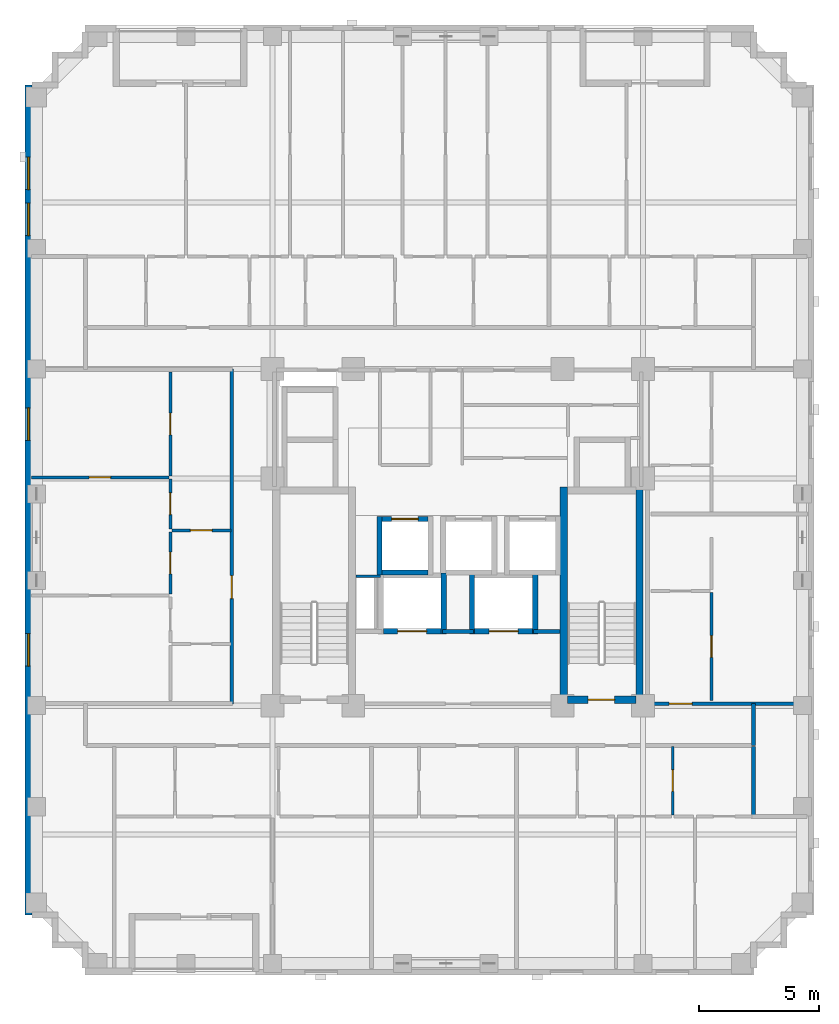
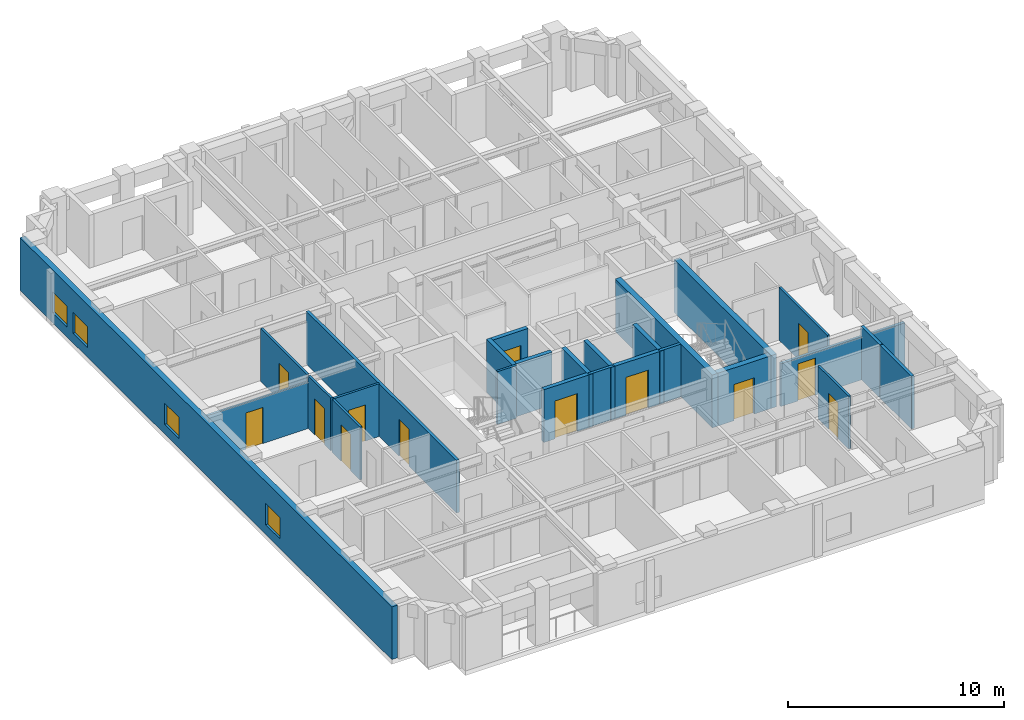
# One storey, part 4 of 11: 26 walls, 13 doors, 4 windows, 17 openings.
"""IFC4 building model written with IfcOpenShell, lengths in metres."""

from ifc_helpers import new_model, si_unit, derived_unit, direction, frame, frame_2d, origin, place, context, subcontext, project, spatial, rectangle, extrude, material, layer, layer_set, type_object, element, fill, save


model = new_model("IFC4")

# Units and contexts
model_context = context("Model", 3, precision=1e-05, world=origin(), true_north=direction((0.0, 1.0)))
body_context = subcontext(model_context, "Body", "Model", "MODEL_VIEW")
ifc_project = project(units=[si_unit("LENGTHUNIT", "METRE"), si_unit("AREAUNIT", "SQUARE_METRE"), si_unit("VOLUMEUNIT", "CUBIC_METRE"), si_unit("PLANEANGLEUNIT", "RADIAN"), si_unit("MASSUNIT", "GRAM", prefix="KILO"), derived_unit("THERMALTRANSMITTANCEUNIT", [(si_unit("MASSUNIT", "GRAM", prefix="KILO"), 1), (si_unit("TIMEUNIT", "SECOND"), -3), (si_unit("THERMODYNAMICTEMPERATUREUNIT", "KELVIN"), -1)])], contexts=[model_context])

# Site, building, storey
site_placement = place(None, origin())
site = spatial("IfcSite", under=ifc_project, at=site_placement, CompositionType="ELEMENT")
building_placement = place(site_placement, origin())
building = spatial("IfcBuilding", under=site, at=building_placement, Name="Korrvale Station Residences", CompositionType="ELEMENT")
storey_placement = place(building_placement, frame((0.0, 0.0, 137.39990234375)))
storey = spatial("IfcBuildingStorey", under=building, at=storey_placement, Name="L39", CompositionType="ELEMENT", Elevation=137.39990234375)

# Walls
ifc_material_1 = material(Name="Concrete C60/75", Category="concrete")
ifc_layer_1 = layer(ifc_material_1, 0.300048828125, Name="Concrete C60/75")
ifc_layer_set_1 = layer_set([ifc_layer_1], Name="Concrete C60/75")
wall_type_1 = type_object("IfcWallType", Name="WAL-CORE-300-C60", PredefinedType="SHEAR", material=ifc_layer_set_1)
for number, where, z_axis, x_axis, name in (
    (1, (29.89990234375, 15.10009765625, 0.0), (0.0, 0.0, 1.0), (0.0, 1.0, 0.0), "L39 ST-2 Core Shear Wall West"),
    (2, (33.050048828125, 15.10009765625, 0.0), (0.0, 0.0, 1.0), (0.0, 1.0, 0.0), "L39 ST-2 Core Shear Wall East"),
):
    element("IfcWall", number, at=place(storey_placement, frame(where, z_axis=z_axis, x_axis=x_axis)), inside=storey, type_object=wall_type_1, Name=name, PredefinedType="SHEAR", context=body_context, shape_type="SweptSolid", body=[
        extrude(rectangle(XDim=9.0, YDim=0.300048828125, at=frame_2d((4.5, 0.0))), origin(), (0.0, 0.0, 1.0), 2.989990234375),
    ])

# Wall, opening, door
wall_1_placement = place(storey_placement, frame((30.050048828125, 15.25, 0.0), z_axis=(0.0, 0.0, 1.0), x_axis=(1.0, 0.0, 0.0)))
wall_1 = element("IfcWall", 3, at=wall_1_placement, inside=storey, type_object=wall_type_1, Name="L39 ST-2 Core Shear Wall South", PredefinedType="SHEAR", context=body_context, shape_type="SweptSolid", body=[
    extrude(rectangle(XDim=2.849853515625, YDim=0.300048828125, at=frame_2d((1.4248046875, 0.0))), origin(), (0.0, 0.0, 1.0), 2.989990234375),
])
opening_1_placement = place(wall_1_placement, frame((0.860107421875, 0.0, 0.0)))
opening_1 = element("IfcOpeningElement", 4, at=opening_1_placement, cuts=wall_1, Name="Opening SD-1100", PredefinedType="OPENING", context=body_context, shape_type="SweptSolid", body=[
    extrude(rectangle(XDim=1.10009765625, YDim=2.050048828125, at=frame_2d((0.550048828125, 1.02490234375))), frame((0.0, 0.16015625, 0.0), z_axis=(0.0, -1.0, 0.0), x_axis=(1.0, 0.0, 0.0)), (0.0, 0.0, 1.0), 0.320068359375),
])
ifc_material_2 = material(Name="Hollow-metal fire-rated stair door with closer", Category="steel")
door_type_1 = type_object("IfcDoorType", Name="DR-STAIR-1100", OperationType="NOTDEFINED", PredefinedType="DOOR", material=ifc_material_2)
door_1_placement = place(opening_1_placement, origin())
door_1 = element("IfcDoor", 5, at=door_1_placement, inside=storey, type_object=door_type_1, Name="L39 ST-2 Exit Stair Door", OperationType="SINGLE_SWING_RIGHT", OverallHeight=2.050048828125, OverallWidth=1.10009765625, PredefinedType="DOOR", context=body_context, shape_type="SweptSolid", body=[
    extrude(rectangle(XDim=1.10009765625, YDim=2.050048828125, at=frame_2d((0.550048828125, 1.02490234375))), frame((0.0, 0.02490234375, 0.0), z_axis=(0.0, -1.0, 0.0), x_axis=(1.0, 0.0, 0.0)), (0.0, 0.0, 1.0), 0.050048828125),
])
fill(opening_1, door_1)

# Wall, openings, windows
ifc_material_3 = material(Name="Precast concrete C45/55", Category="concrete")
ifc_layer_2 = layer(ifc_material_3, 0.300048828125, Name="Precast concrete C45/55")
ifc_layer_set_2 = layer_set([ifc_layer_2], Name="Precast concrete C45/55")
wall_type_2 = type_object("IfcWallType", Name="WAL-EXT-PC300", PredefinedType="SOLIDWALL", material=ifc_layer_set_2)
wall_2_placement = place(storey_placement, frame((7.64990234375, 6.300048828125, 0.0), z_axis=(0.0, 0.0, 1.0), x_axis=(0.0, 1.0, 0.0)))
wall_2 = element("IfcWall", 6, at=wall_2_placement, inside=storey, type_object=wall_type_2, Name="L39 West Exterior Precast Wall 1", PredefinedType="SOLIDWALL", context=body_context, shape_type="SweptSolid", body=[
    extrude(rectangle(XDim=34.5, YDim=0.300048828125, at=frame_2d((17.25, 0.0))), origin(), (0.0, 0.0, 1.0), 2.989990234375),
])
opening_2_placement = place(wall_2_placement, frame((30.14990234375, 0.0, 0.550048828125)))
opening_2 = element("IfcOpeningElement", 7, at=opening_2_placement, cuts=wall_2, Name="Opening W-10", PredefinedType="OPENING", context=body_context, shape_type="SweptSolid", body=[
    extrude(rectangle(XDim=1.35009765625, YDim=1.199951171875, at=frame_2d((0.675048828125, 0.60009765625))), frame((0.0, 0.16015625, 0.0), z_axis=(0.0, -1.0, 0.0), x_axis=(1.0, 0.0, 0.0)), (0.0, 0.0, 1.0), 0.320068359375),
])
opening_3_placement = place(wall_2_placement, frame((28.235107421875, 0.0, 0.550048828125)))
opening_3 = element("IfcOpeningElement", 8, at=opening_3_placement, cuts=wall_2, Name="Opening W-10", PredefinedType="OPENING", context=body_context, shape_type="SweptSolid", body=[
    extrude(rectangle(XDim=1.35009765625, YDim=1.199951171875, at=frame_2d((0.675048828125, 0.60009765625))), frame((0.0, 0.16015625, 0.0), z_axis=(0.0, -1.0, 0.0), x_axis=(1.0, 0.0, 0.0)), (0.0, 0.0, 1.0), 0.320068359375),
])
opening_4_placement = place(wall_2_placement, frame((10.35009765625, 0.0, 0.550048828125)))
opening_4 = element("IfcOpeningElement", 9, at=opening_4_placement, cuts=wall_2, Name="Opening W-10", PredefinedType="OPENING", context=body_context, shape_type="SweptSolid", body=[
    extrude(rectangle(XDim=1.35009765625, YDim=1.199951171875, at=frame_2d((0.675048828125, 0.60009765625))), frame((0.0, 0.16015625, 0.0), z_axis=(0.0, -1.0, 0.0), x_axis=(1.0, 0.0, 0.0)), (0.0, 0.0, 1.0), 0.320068359375),
])
opening_5_placement = place(wall_2_placement, frame((19.72509765625, 0.0, 0.550048828125)))
opening_5 = element("IfcOpeningElement", 10, at=opening_5_placement, cuts=wall_2, Name="Opening W-10", PredefinedType="OPENING", context=body_context, shape_type="SweptSolid", body=[
    extrude(rectangle(XDim=1.35009765625, YDim=1.199951171875, at=frame_2d((0.675048828125, 0.60009765625))), frame((0.0, 0.16015625, 0.0), z_axis=(0.0, -1.0, 0.0), x_axis=(1.0, 0.0, 0.0)), (0.0, 0.0, 1.0), 0.320068359375),
])
ifc_material_4 = material(Name="Thermally broken aluminium frame with triple low-e glazing", Category="aluminium")
window_type = type_object("IfcWindowType", Name="WIN-W10", PartitioningType="SINGLE_PANEL", PredefinedType="WINDOW", material=ifc_material_4)
window_1_placement = place(opening_2_placement, origin())
window_1 = element("IfcWindow", 11, at=window_1_placement, inside=storey, type_object=window_type, Name="L39 Punched Window 06", OverallHeight=1.199951171875, OverallWidth=1.35009765625, PartitioningType="SINGLE_PANEL", PredefinedType="WINDOW", context=body_context, shape_type="SweptSolid", body=[
    extrude(rectangle(XDim=1.35009765625, YDim=1.199951171875, at=frame_2d((0.675048828125, 0.60009765625))), frame((0.0, 0.030029296875, 0.0), z_axis=(0.0, -1.0, 0.0), x_axis=(1.0, 0.0, 0.0)), (0.0, 0.0, 1.0), 0.06005859375),
])
fill(opening_2, window_1)
window_2_placement = place(opening_3_placement, origin())
window_2 = element("IfcWindow", 12, at=window_2_placement, inside=storey, type_object=window_type, Name="L39 Punched Window 07", OverallHeight=1.199951171875, OverallWidth=1.35009765625, PartitioningType="SINGLE_PANEL", PredefinedType="WINDOW", context=body_context, shape_type="SweptSolid", body=[
    extrude(rectangle(XDim=1.35009765625, YDim=1.199951171875, at=frame_2d((0.675048828125, 0.60009765625))), frame((0.0, 0.030029296875, 0.0), z_axis=(0.0, -1.0, 0.0), x_axis=(1.0, 0.0, 0.0)), (0.0, 0.0, 1.0), 0.06005859375),
])
fill(opening_3, window_2)
window_3_placement = place(opening_4_placement, origin())
window_3 = element("IfcWindow", 13, at=window_3_placement, inside=storey, type_object=window_type, Name="L39 Punched Window 15", OverallHeight=1.199951171875, OverallWidth=1.35009765625, PartitioningType="SINGLE_PANEL", PredefinedType="WINDOW", context=body_context, shape_type="SweptSolid", body=[
    extrude(rectangle(XDim=1.35009765625, YDim=1.199951171875, at=frame_2d((0.675048828125, 0.60009765625))), frame((0.0, 0.030029296875, 0.0), z_axis=(0.0, -1.0, 0.0), x_axis=(1.0, 0.0, 0.0)), (0.0, 0.0, 1.0), 0.06005859375),
])
fill(opening_4, window_3)
window_4_placement = place(opening_5_placement, origin())
window_4 = element("IfcWindow", 14, at=window_4_placement, inside=storey, type_object=window_type, Name="L39 Punched Window 16", OverallHeight=1.199951171875, OverallWidth=1.35009765625, PartitioningType="SINGLE_PANEL", PredefinedType="WINDOW", context=body_context, shape_type="SweptSolid", body=[
    extrude(rectangle(XDim=1.35009765625, YDim=1.199951171875, at=frame_2d((0.675048828125, 0.60009765625))), frame((0.0, 0.030029296875, 0.0), z_axis=(0.0, -1.0, 0.0), x_axis=(1.0, 0.0, 0.0)), (0.0, 0.0, 1.0), 0.06005859375),
])
fill(opening_5, window_4)

# Wall
ifc_material_5 = material(Name="Acoustic steel-stud gypsum board partition", Category="steel")
ifc_layer_3 = layer(ifc_material_5, 0.1201171875, Name="Acoustic steel-stud gypsum board partition")
ifc_layer_set_3 = layer_set([ifc_layer_3], Name="Acoustic steel-stud gypsum board partition")
wall_type_3 = type_object("IfcWallType", Name="WAL-PART-125", PredefinedType="PARTITIONING", material=ifc_layer_set_3)
wall_3_placement = place(storey_placement, frame((22.280029296875, 20.3798828125, 0.0), z_axis=(0.0, 0.0, 1.0), x_axis=(-1.0, 0.0, 0.0)))
element("IfcWall", 15, at=wall_3_placement, inside=storey, type_object=wall_type_3, Name="L39 Core Partition CW-RSWT-N", PredefinedType="PARTITIONING", context=body_context, shape_type="SweptSolid", body=[
    extrude(rectangle(XDim=1.02001953125, YDim=0.1201171875, at=frame_2d((0.510009765625, 0.0))), origin(), (0.0, 0.0, 1.0), 2.989990234375),
])

# Wall, opening, door
wall_4_placement = place(storey_placement, frame((34.429931640625, 10.4599609375, 0.0), z_axis=(0.0, 0.0, 1.0), x_axis=(0.0, 1.0, 0.0)))
wall_4 = element("IfcWall", 16, at=wall_4_placement, inside=storey, type_object=wall_type_3, Name="L39 Suite Partition U03-V12", PredefinedType="PARTITIONING", context=body_context, shape_type="SweptSolid", body=[
    extrude(rectangle(XDim=2.85009765625, YDim=0.1201171875, at=frame_2d((1.425048828125, 0.0))), origin(), (0.0, 0.0, 1.0), 2.989990234375),
])
opening_6_placement = place(wall_4_placement, frame((0.97509765625, 0.0, 0.0)))
opening_6 = element("IfcOpeningElement", 17, at=opening_6_placement, cuts=wall_4, Name="Opening DI-900", PredefinedType="OPENING", context=body_context, shape_type="SweptSolid", body=[
    extrude(rectangle(XDim=0.89990234375, YDim=2.050048828125, at=frame_2d((0.449951171875, 1.02490234375))), frame((0.0, 0.070068359375, 0.0), z_axis=(0.0, -1.0, 0.0), x_axis=(1.0, 0.0, 0.0)), (0.0, 0.0, 1.0), 0.14013671875),
])
ifc_material_6 = material(Name="Painted solid-core timber interior room door", Category="wood")
door_type_2 = type_object("IfcDoorType", Name="DR-INT-900", OperationType="NOTDEFINED", PredefinedType="DOOR", material=ifc_material_6)
door_2_placement = place(opening_6_placement, origin())
door_2 = element("IfcDoor", 18, at=door_2_placement, inside=storey, type_object=door_type_2, Name="L39 Apartment 1BR L39-U03 Kitchen Door", OperationType="SINGLE_SWING_LEFT", OverallHeight=2.050048828125, OverallWidth=0.89990234375, PredefinedType="DOOR", context=body_context, shape_type="SweptSolid", body=[
    extrude(rectangle(XDim=0.89990234375, YDim=2.050048828125, at=frame_2d((0.449951171875, 1.02490234375))), frame((0.0, 0.02490234375, 0.0), z_axis=(0.0, -1.0, 0.0), x_axis=(1.0, 0.0, 0.0)), (0.0, 0.0, 1.0), 0.050048828125),
])
fill(opening_6, door_2)

wall_5_placement = place(storey_placement, frame((13.610107421875, 22.2900390625, 0.0), z_axis=(0.0, 0.0, 1.0), x_axis=(1.0, 0.0, 0.0)))
wall_5 = element("IfcWall", 19, at=wall_5_placement, inside=storey, type_object=wall_type_3, Name="L39 Suite Partition U06-H02", PredefinedType="PARTITIONING", context=body_context, shape_type="SweptSolid", body=[
    extrude(rectangle(XDim=2.449951171875, YDim=0.1201171875, at=frame_2d((1.22509765625, 0.0))), origin(), (0.0, 0.0, 1.0), 2.989990234375),
])
opening_7_placement = place(wall_5_placement, frame((0.77490234375, 0.0, 0.0)))
opening_7 = element("IfcOpeningElement", 20, at=opening_7_placement, cuts=wall_5, Name="Opening DI-900", PredefinedType="OPENING", context=body_context, shape_type="SweptSolid", body=[
    extrude(rectangle(XDim=0.89990234375, YDim=2.050048828125, at=frame_2d((0.449951171875, 1.02490234375))), frame((0.0, 0.070068359375, 0.0), z_axis=(0.0, -1.0, 0.0), x_axis=(1.0, 0.0, 0.0)), (0.0, 0.0, 1.0), 0.14013671875),
])
door_3_placement = place(opening_7_placement, origin())
door_3 = element("IfcDoor", 21, at=door_3_placement, inside=storey, type_object=door_type_2, Name="L39 Apartment 2BR L39-U06 Wardrobe Storage Room Door", OperationType="SINGLE_SWING_RIGHT", OverallHeight=2.050048828125, OverallWidth=0.89990234375, PredefinedType="DOOR", context=body_context, shape_type="SweptSolid", body=[
    extrude(rectangle(XDim=0.89990234375, YDim=2.050048828125, at=frame_2d((0.449951171875, 1.02490234375))), frame((0.0, 0.02490234375, 0.0), z_axis=(0.0, -1.0, 0.0), x_axis=(1.0, 0.0, 0.0)), (0.0, 0.0, 1.0), 0.050048828125),
])
fill(opening_7, door_3)

wall_6_placement = place(storey_placement, frame((13.550048828125, 22.35009765625, 0.0), z_axis=(0.0, 0.0, 1.0), x_axis=(0.0, 1.0, 0.0)))
wall_6 = element("IfcWall", 22, at=wall_6_placement, inside=storey, type_object=wall_type_3, Name="L39 Suite Partition U06-V04", PredefinedType="PARTITIONING", context=body_context, shape_type="SweptSolid", body=[
    extrude(rectangle(XDim=2.081787109375, YDim=0.1201171875, at=frame_2d((1.041015625, 0.0))), origin(), (0.0, 0.0, 1.0), 2.989990234375),
])
opening_8_placement = place(wall_6_placement, frame((0.591064453125, 0.0, 0.0)))
opening_8 = element("IfcOpeningElement", 23, at=opening_8_placement, cuts=wall_6, Name="Opening DI-900", PredefinedType="OPENING", context=body_context, shape_type="SweptSolid", body=[
    extrude(rectangle(XDim=0.89990234375, YDim=2.050048828125, at=frame_2d((0.449951171875, 1.02490234375))), frame((0.0, 0.070068359375, 0.0), z_axis=(0.0, -1.0, 0.0), x_axis=(1.0, 0.0, 0.0)), (0.0, 0.0, 1.0), 0.14013671875),
])
door_4_placement = place(opening_8_placement, origin())
door_4 = element("IfcDoor", 24, at=door_4_placement, inside=storey, type_object=door_type_2, Name="L39 Apartment 2BR L39-U06 Wardrobe Storage Room Door", OperationType="SINGLE_SWING_LEFT", OverallHeight=2.050048828125, OverallWidth=0.89990234375, PredefinedType="DOOR", context=body_context, shape_type="SweptSolid", body=[
    extrude(rectangle(XDim=0.89990234375, YDim=2.050048828125, at=frame_2d((0.449951171875, 1.02490234375))), frame((0.0, 0.02490234375, 0.0), z_axis=(0.0, -1.0, 0.0), x_axis=(1.0, 0.0, 0.0)), (0.0, 0.0, 1.0), 0.050048828125),
])
fill(opening_8, door_4)

wall_7_placement = place(storey_placement, frame((13.550048828125, 24.552001953125, 0.0), z_axis=(0.0, 0.0, 1.0), x_axis=(0.0, 1.0, 0.0)))
wall_7 = element("IfcWall", 25, at=wall_7_placement, inside=storey, type_object=wall_type_3, Name="L39 Suite Partition U06-V05", PredefinedType="PARTITIONING", context=body_context, shape_type="SweptSolid", body=[
    extrude(rectangle(XDim=4.30810546875, YDim=0.1201171875, at=frame_2d((2.154052734375, 0.0))), origin(), (0.0, 0.0, 1.0), 2.989990234375),
])
opening_9_placement = place(wall_7_placement, frame((1.7041015625, 0.0, 0.0)))
opening_9 = element("IfcOpeningElement", 26, at=opening_9_placement, cuts=wall_7, Name="Opening DI-900", PredefinedType="OPENING", context=body_context, shape_type="SweptSolid", body=[
    extrude(rectangle(XDim=0.89990234375, YDim=2.050048828125, at=frame_2d((0.449951171875, 1.02490234375))), frame((0.0, 0.070068359375, 0.0), z_axis=(0.0, -1.0, 0.0), x_axis=(1.0, 0.0, 0.0)), (0.0, 0.0, 1.0), 0.14013671875),
])
door_5_placement = place(opening_9_placement, origin())
door_5 = element("IfcDoor", 27, at=door_5_placement, inside=storey, type_object=door_type_2, Name="L39 Apartment 2BR L39-U06 Wardrobe Storage Room Door", OperationType="SINGLE_SWING_RIGHT", OverallHeight=2.050048828125, OverallWidth=0.89990234375, PredefinedType="DOOR", context=body_context, shape_type="SweptSolid", body=[
    extrude(rectangle(XDim=0.89990234375, YDim=2.050048828125, at=frame_2d((0.449951171875, 1.02490234375))), frame((0.0, 0.02490234375, 0.0), z_axis=(0.0, -1.0, 0.0), x_axis=(1.0, 0.0, 0.0)), (0.0, 0.0, 1.0), 0.050048828125),
])
fill(opening_9, door_5)

wall_8_placement = place(storey_placement, frame((13.550048828125, 19.637939453125, 0.0), z_axis=(0.0, 0.0, 1.0), x_axis=(0.0, 1.0, 0.0)))
wall_8 = element("IfcWall", 28, at=wall_8_placement, inside=storey, type_object=wall_type_3, Name="L39 Suite Partition U06-V24", PredefinedType="PARTITIONING", context=body_context, shape_type="SweptSolid", body=[
    extrude(rectangle(XDim=2.592041015625, YDim=0.1201171875, at=frame_2d((1.2958984375, 0.0))), origin(), (0.0, 0.0, 1.0), 2.989990234375),
])
opening_10_placement = place(wall_8_placement, frame((0.845947265625, 0.0, 0.0)))
opening_10 = element("IfcOpeningElement", 29, at=opening_10_placement, cuts=wall_8, Name="Opening DI-900", PredefinedType="OPENING", context=body_context, shape_type="SweptSolid", body=[
    extrude(rectangle(XDim=0.89990234375, YDim=2.050048828125, at=frame_2d((0.449951171875, 1.02490234375))), frame((0.0, 0.070068359375, 0.0), z_axis=(0.0, -1.0, 0.0), x_axis=(1.0, 0.0, 0.0)), (0.0, 0.0, 1.0), 0.14013671875),
])
door_6_placement = place(opening_10_placement, origin())
door_6 = element("IfcDoor", 30, at=door_6_placement, inside=storey, type_object=door_type_2, Name="L39 Apartment 2BR L39-U06 Kitchen Door", OperationType="SINGLE_SWING_LEFT", OverallHeight=2.050048828125, OverallWidth=0.89990234375, PredefinedType="DOOR", context=body_context, shape_type="SweptSolid", body=[
    extrude(rectangle(XDim=0.89990234375, YDim=2.050048828125, at=frame_2d((0.449951171875, 1.02490234375))), frame((0.0, 0.02490234375, 0.0), z_axis=(0.0, -1.0, 0.0), x_axis=(1.0, 0.0, 0.0)), (0.0, 0.0, 1.0), 0.050048828125),
])
fill(opening_10, door_6)

wall_9_placement = place(storey_placement, frame((7.780029296875, 24.491943359375, 0.0), z_axis=(0.0, 0.0, 1.0), x_axis=(1.0, 0.0, 0.0)))
wall_9 = element("IfcWall", 31, at=wall_9_placement, inside=storey, type_object=wall_type_3, Name="L39 Suite Partition U06-H45", PredefinedType="PARTITIONING", context=body_context, shape_type="SweptSolid", body=[
    extrude(rectangle(XDim=5.7099609375, YDim=0.1201171875, at=frame_2d((2.85498046875, 0.0))), origin(), (0.0, 0.0, 1.0), 2.62109375),
])
opening_11_placement = place(wall_9_placement, frame((2.389892578125, 0.0, 0.0)))
opening_11 = element("IfcOpeningElement", 32, at=opening_11_placement, cuts=wall_9, Name="Opening DI-900", PredefinedType="OPENING", context=body_context, shape_type="SweptSolid", body=[
    extrude(rectangle(XDim=0.89990234375, YDim=2.050048828125, at=frame_2d((0.449951171875, 1.02490234375))), frame((0.0, 0.070068359375, 0.0), z_axis=(0.0, -1.0, 0.0), x_axis=(1.0, 0.0, 0.0)), (0.0, 0.0, 1.0), 0.14013671875),
])
door_7_placement = place(opening_11_placement, origin())
door_7 = element("IfcDoor", 33, at=door_7_placement, inside=storey, type_object=door_type_2, Name="L39 Apartment 2BR L39-U06 Living and Dining Room Door", OperationType="SINGLE_SWING_LEFT", OverallHeight=2.050048828125, OverallWidth=0.89990234375, PredefinedType="DOOR", context=body_context, shape_type="SweptSolid", body=[
    extrude(rectangle(XDim=0.89990234375, YDim=2.050048828125, at=frame_2d((0.449951171875, 1.02490234375))), frame((0.0, 0.02490234375, 0.0), z_axis=(0.0, -1.0, 0.0), x_axis=(1.0, 0.0, 0.0)), (0.0, 0.0, 1.0), 0.050048828125),
])
fill(opening_11, door_7)

wall_10_placement = place(storey_placement, frame((36.0400390625, 15.2099609375, 0.0), z_axis=(0.0, 0.0, 1.0), x_axis=(0.0, 1.0, 0.0)))
wall_10 = element("IfcWall", 34, at=wall_10_placement, inside=storey, type_object=wall_type_3, Name="L39 Suite Partition U07-V12", PredefinedType="PARTITIONING", context=body_context, shape_type="SweptSolid", body=[
    extrude(rectangle(XDim=4.5, YDim=0.1201171875, at=frame_2d((2.25, 0.0))), origin(), (0.0, 0.0, 1.0), 2.989990234375),
])
opening_12_placement = place(wall_10_placement, frame((1.800048828125, 0.0, 0.0)))
opening_12 = element("IfcOpeningElement", 35, at=opening_12_placement, cuts=wall_10, Name="Opening DI-900", PredefinedType="OPENING", context=body_context, shape_type="SweptSolid", body=[
    extrude(rectangle(XDim=0.89990234375, YDim=2.050048828125, at=frame_2d((0.449951171875, 1.02490234375))), frame((0.0, 0.070068359375, 0.0), z_axis=(0.0, -1.0, 0.0), x_axis=(1.0, 0.0, 0.0)), (0.0, 0.0, 1.0), 0.14013671875),
])
door_8_placement = place(opening_12_placement, origin())
door_8 = element("IfcDoor", 36, at=door_8_placement, inside=storey, type_object=door_type_2, Name="L39 Apartment 1BR L39-U07 Kitchen Door", OperationType="SINGLE_SWING_RIGHT", OverallHeight=2.050048828125, OverallWidth=0.89990234375, PredefinedType="DOOR", context=body_context, shape_type="SweptSolid", body=[
    extrude(rectangle(XDim=0.89990234375, YDim=2.050048828125, at=frame_2d((0.449951171875, 1.02490234375))), frame((0.0, 0.02490234375, 0.0), z_axis=(0.0, -1.0, 0.0), x_axis=(1.0, 0.0, 0.0)), (0.0, 0.0, 1.0), 0.050048828125),
])
fill(opening_12, door_8)

# Walls
ifc_material_7 = material(Name="Fire-rated twin-stud gypsum and mineral wool shaftwall assembly", Category="gypsum")
ifc_layer_4 = layer(ifc_material_7, 0.159912109375, Name="Fire-rated twin-stud gypsum and mineral wool shaftwall assembly")
ifc_layer_set_4 = layer_set([ifc_layer_4], Name="Fire-rated twin-stud gypsum and mineral wool shaftwall assembly")
wall_type_4 = type_object("IfcWallType", Name="WAL-PART-200", PredefinedType="PARTITIONING", material=ifc_layer_set_4)
wall_11_placement = place(storey_placement, frame((24.85009765625, 18.080078125, 0.0), z_axis=(0.0, 0.0, 1.0), x_axis=(1.0, 0.0, 0.0)))
element("IfcWall", 37, at=wall_11_placement, inside=storey, type_object=wall_type_4, Name="L39 Core Partition CW-FFL-N2", PredefinedType="PARTITIONING", context=body_context, shape_type="SweptSolid", body=[
    extrude(rectangle(XDim=1.2998046875, YDim=0.159912109375, at=frame_2d((0.64990234375, 0.0))), origin(), (0.0, 0.0, 1.0), 2.989990234375),
])
wall_12_placement = place(storey_placement, frame((28.64990234375, 18.080078125, 0.0), z_axis=(0.0, 0.0, 1.0), x_axis=(1.0, 0.0, 0.0)))
element("IfcWall", 38, at=wall_12_placement, inside=storey, type_object=wall_type_4, Name="L39 Core Partition CW-FFL-N3", PredefinedType="PARTITIONING", context=body_context, shape_type="SweptSolid", body=[
    extrude(rectangle(XDim=1.10009765625, YDim=0.159912109375, at=frame_2d((0.550048828125, 0.0))), origin(), (0.0, 0.0, 1.0), 2.989990234375),
])
wall_13_placement = place(storey_placement, frame((37.780029296875, 13.35009765625, 0.0), z_axis=(0.0, 0.0, 1.0), x_axis=(0.0, 1.0, 0.0)))
element("IfcWall", 39, at=wall_13_placement, inside=storey, type_object=wall_type_4, Name="L39 Corridor South East Cap", PredefinedType="PARTITIONING", context=body_context, shape_type="SweptSolid", body=[
    extrude(rectangle(XDim=1.739990234375, YDim=0.159912109375, at=frame_2d((0.8701171875, 0.0))), origin(), (0.0, 0.0, 1.0), 2.989990234375),
])
wall_14_placement = place(storey_placement, frame((37.780029296875, 10.39990234375, 0.0), z_axis=(0.0, 0.0, 1.0), x_axis=(0.0, 1.0, 0.0)))
element("IfcWall", 40, at=wall_14_placement, inside=storey, type_object=wall_type_4, Name="L39 Corner Step Cheek U03-R", PredefinedType="PARTITIONING", context=body_context, shape_type="SweptSolid", body=[
    extrude(rectangle(XDim=2.91015625, YDim=0.159912109375, at=frame_2d((1.455078125, 0.0))), origin(), (0.0, 0.0, 1.0), 2.989990234375),
])

# Wall, opening, door
wall_15_placement = place(storey_placement, frame((33.3798828125, 15.080078125, 0.0), z_axis=(0.0, 0.0, 1.0), x_axis=(1.0, 0.0, 0.0)))
wall_15 = element("IfcWall", 41, at=wall_15_placement, inside=storey, type_object=wall_type_4, Name="L39 Side Suite South Entry Wall U07", PredefinedType="PARTITIONING", context=body_context, shape_type="SweptSolid", body=[
    extrude(rectangle(XDim=6.64013671875, YDim=0.159912109375, at=frame_2d((3.320068359375, 0.0))), origin(), (0.0, 0.0, 1.0), 2.426025390625),
])
opening_13_placement = place(wall_15_placement, frame((0.89990234375, 0.0, 0.0)))
opening_13 = element("IfcOpeningElement", 42, at=opening_13_placement, cuts=wall_15, Name="Opening UD-950", PredefinedType="OPENING", context=body_context, shape_type="SweptSolid", body=[
    extrude(rectangle(XDim=0.949951171875, YDim=2.10009765625, at=frame_2d((0.47509765625, 1.050048828125))), frame((0.0, 0.08984375, 0.0), z_axis=(0.0, -1.0, 0.0), x_axis=(1.0, 0.0, 0.0)), (0.0, 0.0, 1.0), 0.179931640625),
])
ifc_material_8 = material(Name="Solid-core acoustic oak apartment entrance door", Category="timber")
door_type_3 = type_object("IfcDoorType", Name="DR-UNIT-950", OperationType="NOTDEFINED", PredefinedType="DOOR", material=ifc_material_8)
door_9_placement = place(opening_13_placement, origin())
door_9 = element("IfcDoor", 43, at=door_9_placement, inside=storey, type_object=door_type_3, Name="L39 Apartment L39-U07 Entrance Door", OperationType="SINGLE_SWING_RIGHT", OverallHeight=2.10009765625, OverallWidth=0.949951171875, PredefinedType="DOOR", context=body_context, shape_type="SweptSolid", body=[
    extrude(rectangle(XDim=0.949951171875, YDim=2.10009765625, at=frame_2d((0.47509765625, 1.050048828125))), frame((0.0, 0.02490234375, 0.0), z_axis=(0.0, -1.0, 0.0), x_axis=(1.0, 0.0, 0.0)), (0.0, 0.0, 1.0), 0.050048828125),
])
fill(opening_13, door_9)

wall_16_placement = place(storey_placement, frame((16.10009765625, 15.070068359375, 0.0), z_axis=(0.0, 0.0, 1.0), x_axis=(0.0, 1.0, 0.0)))
wall_16 = element("IfcWall", 44, at=wall_16_placement, inside=storey, type_object=wall_type_4, Name="L39 Rated Corridor Wall W", PredefinedType="PARTITIONING", context=body_context, shape_type="SweptSolid", body=[
    extrude(rectangle(XDim=13.929931640625, YDim=0.159912109375, at=frame_2d((6.96484375, 0.0))), origin(), (0.0, 0.0, 1.0), 2.989990234375),
])
opening_14_placement = place(wall_16_placement, frame((4.385009765625, 0.0, 0.0)))
opening_14 = element("IfcOpeningElement", 45, at=opening_14_placement, cuts=wall_16, Name="Opening UD-950", PredefinedType="OPENING", context=body_context, shape_type="SweptSolid", body=[
    extrude(rectangle(XDim=0.949951171875, YDim=2.10009765625, at=frame_2d((0.47509765625, 1.050048828125))), frame((0.0, 0.08984375, 0.0), z_axis=(0.0, -1.0, 0.0), x_axis=(1.0, 0.0, 0.0)), (0.0, 0.0, 1.0), 0.179931640625),
])
door_10_placement = place(opening_14_placement, origin())
door_10 = element("IfcDoor", 46, at=door_10_placement, inside=storey, type_object=door_type_3, Name="L39 Apartment L39-U06 Entrance Door", OperationType="SINGLE_SWING_LEFT", OverallHeight=2.10009765625, OverallWidth=0.949951171875, PredefinedType="DOOR", context=body_context, shape_type="SweptSolid", body=[
    extrude(rectangle(XDim=0.949951171875, YDim=2.10009765625, at=frame_2d((0.47509765625, 1.050048828125))), frame((0.0, 0.02490234375, 0.0), z_axis=(0.0, -1.0, 0.0), x_axis=(1.0, 0.0, 0.0)), (0.0, 0.0, 1.0), 0.050048828125),
])
fill(opening_14, door_10)

# Wall
ifc_layer_5 = layer(ifc_material_1, 0.219970703125, Name="Concrete C60/75")
ifc_layer_set_5 = layer_set([ifc_layer_5], Name="Concrete C60/75")
wall_type_5 = type_object("IfcWallType", Name="WAL-SHAFT-220-C60", PredefinedType="SHEAR", material=ifc_layer_set_5)
wall_17_placement = place(storey_placement, frame((22.35009765625, 20.5400390625, 0.0), z_axis=(0.0, 0.0, 1.0), x_axis=(1.0, 0.0, 0.0)))
element("IfcWall", 47, at=wall_17_placement, inside=storey, type_object=wall_type_5, Name="L39 Elevator PM-1 Hoistway Wall South", PredefinedType="SHEAR", context=body_context, shape_type="SweptSolid", body=[
    extrude(rectangle(XDim=1.89990234375, YDim=0.219970703125, at=frame_2d((0.949951171875, 0.0))), origin(), (0.0, 0.0, 1.0), 2.989990234375),
])

# Wall, opening, door
wall_18_placement = place(storey_placement, frame((22.35009765625, 22.760009765625, 0.0), z_axis=(0.0, 0.0, 1.0), x_axis=(1.0, 0.0, 0.0)))
wall_18 = element("IfcWall", 48, at=wall_18_placement, inside=storey, type_object=wall_type_5, Name="L39 Elevator PM-1 Hoistway Wall North", PredefinedType="SHEAR", context=body_context, shape_type="SweptSolid", body=[
    extrude(rectangle(XDim=1.89990234375, YDim=0.219970703125, at=frame_2d((0.949951171875, 0.0))), origin(), (0.0, 0.0, 1.0), 2.989990234375),
])
opening_15_placement = place(wall_18_placement, frame((0.39990234375, 0.0, 0.0)))
opening_15 = element("IfcOpeningElement", 49, at=opening_15_placement, cuts=wall_18, Name="Opening LD-1100", PredefinedType="OPENING", context=body_context, shape_type="SweptSolid", body=[
    extrude(rectangle(XDim=1.10009765625, YDim=2.14990234375, at=frame_2d((0.550048828125, 1.074951171875))), frame((0.0, 0.1201171875, 0.0), z_axis=(0.0, -1.0, 0.0), x_axis=(1.0, 0.0, 0.0)), (0.0, 0.0, 1.0), 0.239990234375),
])
ifc_material_9 = material(Name="Brushed stainless-steel elevator landing sliding door", Category="steel")
door_type_4 = type_object("IfcDoorType", Name="DR-LIFT-1100", OperationType="SLIDING_TO_LEFT", PredefinedType="DOOR", material=ifc_material_9)
door_11_placement = place(opening_15_placement, origin())
door_11 = element("IfcDoor", 50, at=door_11_placement, inside=storey, type_object=door_type_4, Name="L39 Elevator PM-1 Sliding Landing Door", OperationType="SLIDING_TO_LEFT", OverallHeight=2.14990234375, OverallWidth=1.10009765625, PredefinedType="DOOR", context=body_context, shape_type="SweptSolid", body=[
    extrude(rectangle(XDim=1.10009765625, YDim=2.14990234375, at=frame_2d((0.550048828125, 1.074951171875))), frame((0.0, 0.02490234375, 0.0), z_axis=(0.0, -1.0, 0.0), x_axis=(1.0, 0.0, 0.0)), (0.0, 0.0, 1.0), 0.050048828125),
])
fill(opening_15, door_11)

# Wall
wall_19_placement = place(storey_placement, frame((22.239990234375, 20.429931640625, 0.0), z_axis=(0.0, 0.0, 1.0), x_axis=(0.0, 1.0, 0.0)))
element("IfcWall", 51, at=wall_19_placement, inside=storey, type_object=wall_type_5, Name="L39 Elevator PM-1 Hoistway Wall West", PredefinedType="SHEAR", context=body_context, shape_type="SweptSolid", body=[
    extrude(rectangle(XDim=2.440185546875, YDim=0.219970703125, at=frame_2d((1.22021484375, 0.0))), origin(), (0.0, 0.0, 1.0), 2.989990234375),
])

# Wall, opening, door
wall_20_placement = place(storey_placement, frame((22.39990234375, 18.090087890625, 0.0), z_axis=(0.0, 0.0, 1.0), x_axis=(1.0, 0.0, 0.0)))
wall_20 = element("IfcWall", 52, at=wall_20_placement, inside=storey, type_object=wall_type_5, Name="L39 Elevator FFL-1 Hoistway Wall South", PredefinedType="SHEAR", context=body_context, shape_type="SweptSolid", body=[
    extrude(rectangle(XDim=2.400146484375, YDim=0.219970703125, at=frame_2d((1.2001953125, 0.0))), origin(), (0.0, 0.0, 1.0), 2.989990234375),
])
opening_16_placement = place(wall_20_placement, frame((0.60009765625, 0.0, 0.0)))
opening_16 = element("IfcOpeningElement", 53, at=opening_16_placement, cuts=wall_20, Name="Opening LD-FF1200", PredefinedType="OPENING", context=body_context, shape_type="SweptSolid", body=[
    extrude(rectangle(XDim=1.199951171875, YDim=2.14990234375, at=frame_2d((0.60009765625, 1.074951171875))), frame((0.0, 0.1201171875, 0.0), z_axis=(0.0, -1.0, 0.0), x_axis=(1.0, 0.0, 0.0)), (0.0, 0.0, 1.0), 0.239990234375),
])
ifc_material_10 = material(Name="Stainless-steel firefighter elevator landing sliding door", Category="steel")
door_type_5 = type_object("IfcDoorType", Name="DR-LIFT-FF1200", OperationType="SLIDING_TO_LEFT", PredefinedType="DOOR", material=ifc_material_10)
door_12_placement = place(opening_16_placement, origin())
door_12 = element("IfcDoor", 54, at=door_12_placement, inside=storey, type_object=door_type_5, Name="L39 Elevator FFL-1 Sliding Landing Door", OperationType="SLIDING_TO_LEFT", OverallHeight=2.14990234375, OverallWidth=1.199951171875, PredefinedType="DOOR", context=body_context, shape_type="SweptSolid", body=[
    extrude(rectangle(XDim=1.199951171875, YDim=2.14990234375, at=frame_2d((0.60009765625, 1.074951171875))), frame((0.0, 0.02490234375, 0.0), z_axis=(0.0, -1.0, 0.0), x_axis=(1.0, 0.0, 0.0)), (0.0, 0.0, 1.0), 0.050048828125),
])
fill(opening_16, door_12)

# Wall
wall_21_placement = place(storey_placement, frame((24.909912109375, 17.97998046875, 0.0), z_axis=(0.0, 0.0, 1.0), x_axis=(0.0, 1.0, 0.0)))
element("IfcWall", 55, at=wall_21_placement, inside=storey, type_object=wall_type_5, Name="L39 Elevator FFL-1 Hoistway Wall East", PredefinedType="SHEAR", context=body_context, shape_type="SweptSolid", body=[
    extrude(rectangle(XDim=2.5400390625, YDim=0.219970703125, at=frame_2d((1.27001953125, 0.0))), origin(), (0.0, 0.0, 1.0), 2.989990234375),
])

# Wall, opening, door
wall_22_placement = place(storey_placement, frame((26.199951171875, 18.090087890625, 0.0), z_axis=(0.0, 0.0, 1.0), x_axis=(1.0, 0.0, 0.0)))
wall_22 = element("IfcWall", 56, at=wall_22_placement, inside=storey, type_object=wall_type_5, Name="L39 Elevator FFL-2 Hoistway Wall South", PredefinedType="SHEAR", context=body_context, shape_type="SweptSolid", body=[
    extrude(rectangle(XDim=2.400146484375, YDim=0.219970703125, at=frame_2d((1.2001953125, 0.0))), origin(), (0.0, 0.0, 1.0), 2.989990234375),
])
opening_17_placement = place(wall_22_placement, frame((0.60009765625, 0.0, 0.0)))
opening_17 = element("IfcOpeningElement", 57, at=opening_17_placement, cuts=wall_22, Name="Opening LD-FF1200", PredefinedType="OPENING", context=body_context, shape_type="SweptSolid", body=[
    extrude(rectangle(XDim=1.199951171875, YDim=2.14990234375, at=frame_2d((0.60009765625, 1.074951171875))), frame((0.0, 0.1201171875, 0.0), z_axis=(0.0, -1.0, 0.0), x_axis=(1.0, 0.0, 0.0)), (0.0, 0.0, 1.0), 0.239990234375),
])
door_13_placement = place(opening_17_placement, origin())
door_13 = element("IfcDoor", 58, at=door_13_placement, inside=storey, type_object=door_type_5, Name="L39 Elevator FFL-2 Sliding Landing Door", OperationType="SLIDING_TO_LEFT", OverallHeight=2.14990234375, OverallWidth=1.199951171875, PredefinedType="DOOR", context=body_context, shape_type="SweptSolid", body=[
    extrude(rectangle(XDim=1.199951171875, YDim=2.14990234375, at=frame_2d((0.60009765625, 1.074951171875))), frame((0.0, 0.02490234375, 0.0), z_axis=(0.0, -1.0, 0.0), x_axis=(1.0, 0.0, 0.0)), (0.0, 0.0, 1.0), 0.050048828125),
])
fill(opening_17, door_13)

# Walls
for number, where, z_axis, x_axis, name in (
    (59, (26.090087890625, 17.97998046875, 0.0), (0.0, 0.0, 1.0), (0.0, 1.0, 0.0), "L39 Elevator FFL-2 Hoistway Wall West"),
    (60, (28.7099609375, 17.97998046875, 0.0), (0.0, 0.0, 1.0), (0.0, 1.0, 0.0), "L39 Elevator FFL-2 Hoistway Wall East"),
):
    element("IfcWall", number, at=place(storey_placement, frame(where, z_axis=z_axis, x_axis=x_axis)), inside=storey, type_object=wall_type_5, Name=name, PredefinedType="SHEAR", context=body_context, shape_type="SweptSolid", body=[
        extrude(rectangle(XDim=2.5400390625, YDim=0.219970703125, at=frame_2d((1.27001953125, 0.0))), origin(), (0.0, 0.0, 1.0), 2.989990234375),
    ])

save(model, "model.ifc")
